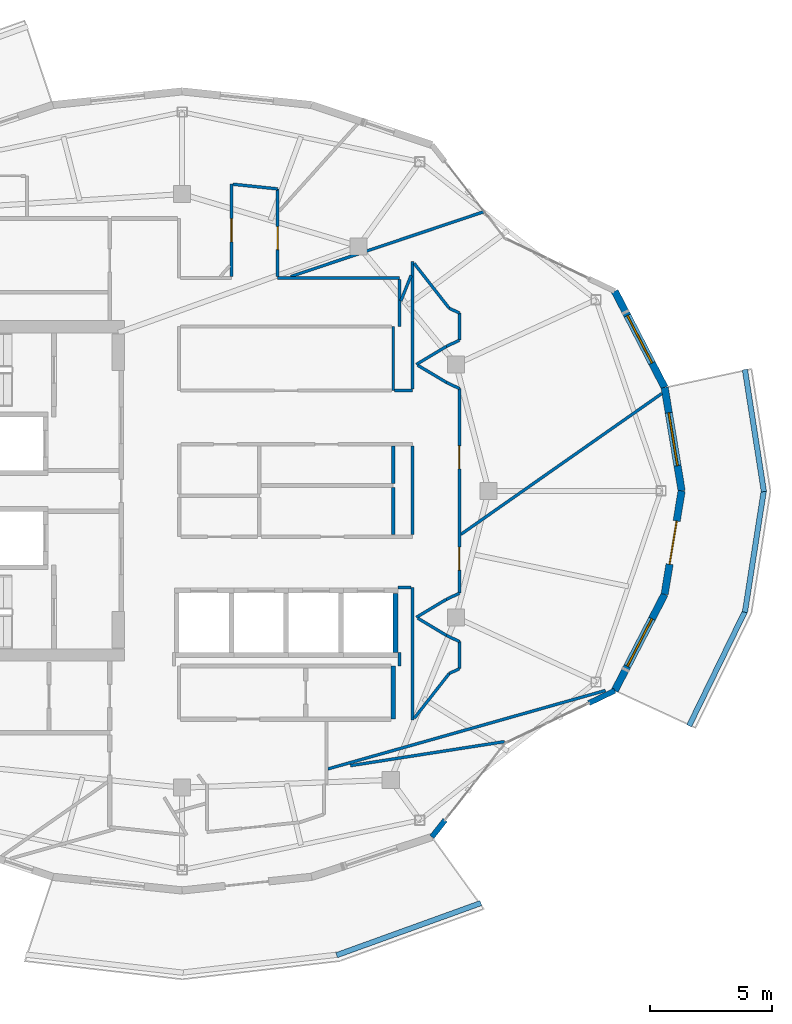
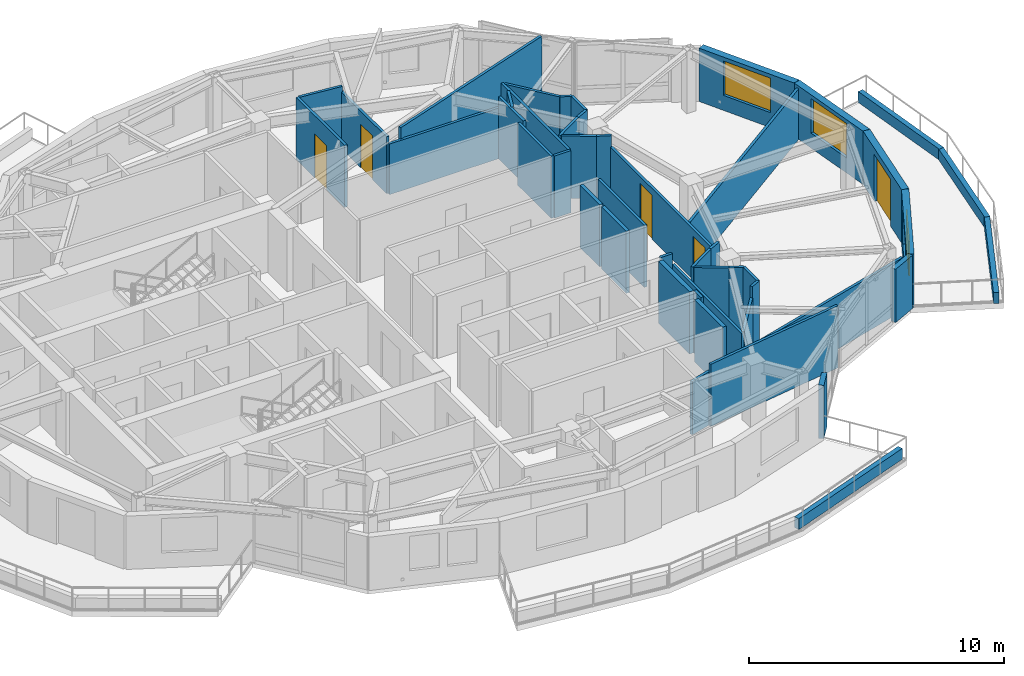
# One storey, part 10 of 15: 46 walls, 5 doors, 3 windows, 8 openings.
"""IFC4 building model written with IfcOpenShell, lengths in metres."""

from ifc_helpers import new_model, si_unit, direction, frame, frame_2d, origin, place, context, subcontext, project, spatial, rectangle, extrude, material, layer, layer_set, type_object, element, fill, save


model = new_model("IFC4")

# Units and contexts
model_context = context("Model", 3, precision=1e-05, world=origin(), true_north=direction((0.0, 1.0)))
body_context = subcontext(model_context, "Body", "Model", "MODEL_VIEW")
ifc_project = project(units=[si_unit("LENGTHUNIT", "METRE"), si_unit("AREAUNIT", "SQUARE_METRE"), si_unit("VOLUMEUNIT", "CUBIC_METRE"), si_unit("PLANEANGLEUNIT", "RADIAN"), si_unit("MASSUNIT", "GRAM", prefix="KILO")], contexts=[model_context])

# Site, building, storey
site_placement = place(None, origin())
site = spatial("IfcSite", under=ifc_project, at=site_placement, CompositionType="ELEMENT")
building_placement = place(site_placement, origin())
building = spatial("IfcBuilding", under=site, at=building_placement, Name="Kolvaren Gate Tower and Convention Centre", CompositionType="ELEMENT")
storey_placement = place(building_placement, frame((0.0, 0.0, 272.300048828125)))
storey = spatial("IfcBuildingStorey", under=building, at=storey_placement, Name="L74", CompositionType="ELEMENT", Elevation=272.300048828125)

# Walls
ifc_material_1 = material(Name="Autoclaved Aerated Masonry Blockwork Class 4 (4.0 MPa)", Category="masonry")
ifc_layer_1 = layer(ifc_material_1, 0.179931640625)
ifc_layer_set_1 = layer_set([ifc_layer_1], Name="Autoclaved Aerated Masonry Blockwork Class 4 (4.0 MPa)")
wall_type_1 = type_object("IfcWallType", Name="ARCH-WL-COMP-180", PredefinedType="SOLIDWALL", material=ifc_layer_set_1)
wall_1_placement = place(storey_placement, frame((38.800048828125, 17.6201171875, 0.0), z_axis=(0.0, 0.0, 1.0), x_axis=(0.0, 1.0, 0.0)))
element("IfcWall", 1, at=wall_1_placement, inside=storey, type_object=wall_type_1, Name="Interior Partition WL-L74-INT-026", PredefinedType="SOLIDWALL", context=body_context, shape_type="SweptSolid", body=[
    extrude(rectangle(XDim=2.179931640625, YDim=0.179931640625, at=frame_2d((1.08984375, 0.0))), origin(), (0.0, 0.0, 1.0), 2.97998046875),
])
ifc_material_2 = material(Name="Fire-Rated Acoustic Gypsum Stud Partition", Category="gypsum")
ifc_layer_2 = layer(ifc_material_2, 0.1201171875)
ifc_layer_set_2 = layer_set([ifc_layer_2], Name="Fire-Rated Acoustic Gypsum Stud Partition")
wall_type_2 = type_object("IfcWallType", Name="ARCH-WL-PART-120", PredefinedType="PARTITIONING", material=ifc_layer_set_2)
wall_2_placement = place(storey_placement, frame((38.800048828125, 31.1201171875, 0.0), z_axis=(0.0, 0.0, 1.0), x_axis=(0.0, 1.0, 0.0)))
element("IfcWall", 2, at=wall_2_placement, inside=storey, type_object=wall_type_2, Name="Interior Partition WL-L74-INT-028", PredefinedType="PARTITIONING", context=body_context, shape_type="SweptSolid", body=[
    extrude(rectangle(XDim=2.6298828125, YDim=0.1201171875, at=frame_2d((1.31494140625, 0.0))), origin(), (0.0, 0.0, 1.0), 2.97998046875),
])
wall_3_placement = place(storey_placement, frame((38.862060546875, 31.1201171875, 0.0), z_axis=(0.0, 0.0, 1.0), x_axis=(1.0, 0.0, 0.0)))
element("IfcWall", 3, at=wall_3_placement, inside=storey, type_object=wall_type_2, Name="Interior Partition WL-L74-INT-029 (2)", PredefinedType="PARTITIONING", context=body_context, shape_type="SweptSolid", body=[
    extrude(rectangle(XDim=0.738037109375, YDim=0.1201171875, at=frame_2d((0.369140625, 0.0))), origin(), (0.0, 0.0, 1.0), 2.97998046875),
])
wall_4_placement = place(storey_placement, frame((34.050048828125, 35.75, 0.0), z_axis=(0.0, 0.0, 1.0), x_axis=(1.0, 0.0, 0.0)))
element("IfcWall", 4, at=wall_4_placement, inside=storey, type_object=wall_type_2, Name="Interior Partition WL-L74-INT-038", PredefinedType="PARTITIONING", context=body_context, shape_type="SweptSolid", body=[
    extrude(rectangle(XDim=5.0, YDim=0.1201171875, at=frame_2d((2.5, 0.0))), origin(), (0.0, 0.0, 1.0), 2.427978515625),
])

# Wall, opening, door
wall_5_placement = place(storey_placement, frame((32.14990234375, 35.81201171875, 0.0), z_axis=(0.0, 0.0, 1.0), x_axis=(0.0, 1.0, 0.0)))
wall_5 = element("IfcWall", 5, at=wall_5_placement, inside=storey, type_object=wall_type_2, Name="Interior Partition WL-L74-INT-039", PredefinedType="PARTITIONING", context=body_context, shape_type="SweptSolid", body=[
    extrude(rectangle(XDim=3.800048828125, YDim=0.1201171875, at=frame_2d((1.89990234375, 0.0))), origin(), (0.0, 0.0, 1.0), 2.97998046875),
])
opening_1_placement = place(wall_5_placement, frame((1.425048828125, 0.0, 0.0)))
opening_1 = element("IfcOpeningElement", 6, at=opening_1_placement, cuts=wall_5, Name="Opening DR-01", PredefinedType="OPENING", context=body_context, shape_type="SweptSolid", body=[
    extrude(rectangle(XDim=0.949951171875, YDim=2.10009765625, at=frame_2d((0.47509765625, 1.050048828125))), frame((0.0, 0.070068359375, 0.0), z_axis=(0.0, -1.0, 0.0), x_axis=(1.0, 0.0, 0.0)), (0.0, 0.0, 1.0), 0.14013671875),
])
ifc_material_3 = material(Name="Painted Architectural Steelwork ASTM A500 Grade C 345 MPa", Category="steel")
door_type_1 = type_object("IfcDoorType", Name="ARCH-DR-RISER-950", OperationType="SINGLE_SWING_RIGHT", PredefinedType="DOOR", material=ifc_material_3)
door_1_placement = place(opening_1_placement, origin())
door_1 = element("IfcDoor", 7, at=door_1_placement, inside=storey, type_object=door_type_1, Name="Duplex Loft Studio Apartment (APT-L74-01) Door", OperationType="SINGLE_SWING_LEFT", OverallHeight=2.10009765625, OverallWidth=0.949951171875, PredefinedType="DOOR", context=body_context, shape_type="SweptSolid", body=[
    extrude(rectangle(XDim=0.949951171875, YDim=2.10009765625, at=frame_2d((0.47509765625, 1.050048828125))), frame((0.0, 0.02490234375, 0.0), z_axis=(0.0, -1.0, 0.0), x_axis=(1.0, 0.0, 0.0)), (0.0, 0.0, 1.0), 0.050048828125),
])
fill(opening_1, door_1)

# Wall
wall_6_placement = place(storey_placement, frame((32.2119140625, 39.60546875, 0.0), z_axis=(0.0, 0.0, 1.0), x_axis=(0.994512688404, -0.1046160246, 0.0)))
element("IfcWall", 8, at=wall_6_placement, inside=storey, type_object=wall_type_2, Name="Interior Partition WL-L74-INT-040", PredefinedType="PARTITIONING", context=body_context, shape_type="SweptSolid", body=[
    extrude(rectangle(XDim=1.848388671875, YDim=0.1201171875, at=frame_2d((0.92431640625, 0.0))), origin(), (0.0, 0.0, 1.0), 2.97998046875),
])

# Wall, opening, door
wall_7_placement = place(storey_placement, frame((34.050048828125, 35.81201171875, 0.0), z_axis=(0.0, 0.0, 1.0), x_axis=(0.0, 1.0, 0.0)))
wall_7 = element("IfcWall", 9, at=wall_7_placement, inside=storey, type_object=wall_type_2, Name="Interior Partition WL-L74-INT-041", PredefinedType="PARTITIONING", context=body_context, shape_type="SweptSolid", body=[
    extrude(rectangle(XDim=3.60009765625, YDim=0.1201171875, at=frame_2d((1.800048828125, 0.0))), origin(), (0.0, 0.0, 1.0), 2.719970703125),
])
opening_2_placement = place(wall_7_placement, frame((1.100341796875, 0.0, 0.0)))
opening_2 = element("IfcOpeningElement", 10, at=opening_2_placement, cuts=wall_7, Name="Opening DR-01", PredefinedType="OPENING", context=body_context, shape_type="SweptSolid", body=[
    extrude(rectangle(XDim=0.949951171875, YDim=2.10009765625, at=frame_2d((0.47509765625, 1.050048828125))), frame((0.0, 0.070068359375, 0.0), z_axis=(0.0, -1.0, 0.0), x_axis=(1.0, 0.0, 0.0)), (0.0, 0.0, 1.0), 0.14013671875),
])
door_2_placement = place(opening_2_placement, origin())
door_2 = element("IfcDoor", 11, at=door_2_placement, inside=storey, type_object=door_type_1, Name="Summit Butler Staff Room Door", OperationType="SINGLE_SWING_RIGHT", OverallHeight=2.10009765625, OverallWidth=0.949951171875, PredefinedType="DOOR", context=body_context, shape_type="SweptSolid", body=[
    extrude(rectangle(XDim=0.949951171875, YDim=2.10009765625, at=frame_2d((0.47509765625, 1.050048828125))), frame((0.0, 0.02490234375, 0.0), z_axis=(0.0, -1.0, 0.0), x_axis=(1.0, 0.0, 0.0)), (0.0, 0.0, 1.0), 0.050048828125),
])
fill(opening_2, door_2)

# Walls
wall_8_placement = place(storey_placement, frame((39.050048828125, 19.800048828125, 0.0), z_axis=(0.0, 0.0, 1.0), x_axis=(0.0, 1.0, 0.0)))
element("IfcWall", 12, at=wall_8_placement, inside=storey, type_object=wall_type_2, Name="Interior Partition WL-L74-INT-042", PredefinedType="PARTITIONING", context=body_context, shape_type="SweptSolid", body=[
    extrude(rectangle(XDim=0.56005859375, YDim=0.1201171875, at=frame_2d((0.280029296875, 0.0))), origin(), (0.0, 0.0, 1.0), 2.97998046875),
])
wall_9_placement = place(storey_placement, frame((39.050048828125, 33.75, 0.0), z_axis=(0.0, 0.0, 1.0), x_axis=(0.0, 1.0, 0.0)))
element("IfcWall", 13, at=wall_9_placement, inside=storey, type_object=wall_type_2, Name="Interior Partition WL-L74-INT-043", PredefinedType="PARTITIONING", context=body_context, shape_type="SweptSolid", body=[
    extrude(rectangle(XDim=1.93798828125, YDim=0.1201171875, at=frame_2d((0.968994140625, 0.0))), origin(), (0.0, 0.0, 1.0), 2.97998046875),
])
wall_10_placement = place(storey_placement, frame((39.60009765625, 17.572998046875, 0.0), z_axis=(0.0, 0.0, 1.0), x_axis=(0.0, 1.0, 0.0)))
element("IfcWall", 14, at=wall_10_placement, inside=storey, type_object=wall_type_2, Name="Interior Partition WL-L74-INT-044", PredefinedType="PARTITIONING", context=body_context, shape_type="SweptSolid", body=[
    extrude(rectangle(XDim=5.447021484375, YDim=0.1201171875, at=frame_2d((2.7236328125, 0.0))), origin(), (0.0, 0.0, 1.0), 2.427978515625),
])
wall_11_placement = place(storey_placement, frame((39.60009765625, 25.197021484375, 0.0), z_axis=(0.0, 0.0, 1.0), x_axis=(0.0, 1.0, 0.0)))
element("IfcWall", 15, at=wall_11_placement, inside=storey, type_object=wall_type_2, Name="Interior Partition WL-L74-INT-045", PredefinedType="PARTITIONING", context=body_context, shape_type="SweptSolid", body=[
    extrude(rectangle(XDim=3.64599609375, YDim=0.1201171875, at=frame_2d((1.822998046875, 0.0))), origin(), (0.0, 0.0, 1.0), 2.97998046875),
])
wall_12_placement = place(storey_placement, frame((39.60009765625, 31.181884765625, 0.0), z_axis=(0.0, 0.0, 1.0), x_axis=(0.0, 1.0, 0.0)))
element("IfcWall", 16, at=wall_12_placement, inside=storey, type_object=wall_type_2, Name="Interior Partition WL-L74-INT-046", PredefinedType="PARTITIONING", context=body_context, shape_type="SweptSolid", body=[
    extrude(rectangle(XDim=5.2451171875, YDim=0.1201171875, at=frame_2d((2.62255859375, 0.0))), origin(), (0.0, 0.0, 1.0), 2.97998046875),
])
wall_13_placement = place(storey_placement, frame((39.662109375, 36.347900390625, 0.0), z_axis=(0.0, 0.0, 1.0), x_axis=(0.616212345115, -0.78758005671, 0.0)))
element("IfcWall", 17, at=wall_13_placement, inside=storey, type_object=wall_type_2, Name="Interior Partition WL-L74-INT-047", PredefinedType="PARTITIONING", context=body_context, shape_type="SweptSolid", body=[
    extrude(rectangle(XDim=2.33349609375, YDim=0.1201171875, at=frame_2d((1.166748046875, 0.0))), origin(), (0.0, 0.0, 1.0), 2.97998046875),
])
wall_14_placement = place(storey_placement, frame((41.10009765625, 34.510009765625, 0.0), z_axis=(0.0, 0.0, 1.0), x_axis=(0.902054328377, -0.431622507125, 0.0)))
element("IfcWall", 18, at=wall_14_placement, inside=storey, type_object=wall_type_2, Name="Interior Partition WL-L74-INT-048", PredefinedType="PARTITIONING", context=body_context, shape_type="SweptSolid", body=[
    extrude(rectangle(XDim=0.465576171875, YDim=0.1201171875, at=frame_2d((0.23291015625, 0.0))), origin(), (0.0, 0.0, 1.0), 2.97998046875),
])
wall_15_placement = place(storey_placement, frame((41.52001953125, 19.69091796875, 0.0), z_axis=(0.0, 0.0, 1.0), x_axis=(0.0, 1.0, 0.0)))
element("IfcWall", 19, at=wall_15_placement, inside=storey, type_object=wall_type_2, Name="Interior Partition WL-L74-INT-049", PredefinedType="PARTITIONING", context=body_context, shape_type="SweptSolid", body=[
    extrude(rectangle(XDim=1.115966796875, YDim=0.1201171875, at=frame_2d((0.55810546875, 0.0))), origin(), (0.0, 0.0, 1.0), 2.97998046875),
])

# Wall, openings, doors
wall_16_placement = place(storey_placement, frame((41.52001953125, 22.7939453125, 0.0), z_axis=(0.0, 0.0, 1.0), x_axis=(0.0, 1.0, 0.0)))
wall_16 = element("IfcWall", 20, at=wall_16_placement, inside=storey, type_object=wall_type_2, Name="Interior Partition WL-L74-INT-050", PredefinedType="PARTITIONING", context=body_context, shape_type="SweptSolid", body=[
    extrude(rectangle(XDim=8.412109375, YDim=0.1201171875, at=frame_2d((4.2060546875, 0.0))), origin(), (0.0, 0.0, 1.0), 2.427978515625),
])
opening_3_placement = place(wall_16_placement, frame((0.943603515625, 0.0, 0.0)))
opening_3 = element("IfcOpeningElement", 21, at=opening_3_placement, cuts=wall_16, Name="Opening DR-01", PredefinedType="OPENING", context=body_context, shape_type="SweptSolid", body=[
    extrude(rectangle(XDim=0.949951171875, YDim=2.10009765625, at=frame_2d((0.47509765625, 1.050048828125))), frame((0.0, 0.070068359375, 0.0), z_axis=(0.0, -1.0, 0.0), x_axis=(1.0, 0.0, 0.0)), (0.0, 0.0, 1.0), 0.14013671875),
])
opening_4_placement = place(wall_16_placement, frame((5.1064453125, 0.0, 0.0)))
opening_4 = element("IfcOpeningElement", 22, at=opening_4_placement, cuts=wall_16, Name="Opening DR-01", PredefinedType="OPENING", context=body_context, shape_type="SweptSolid", body=[
    extrude(rectangle(XDim=0.949951171875, YDim=2.10009765625, at=frame_2d((0.47509765625, 1.050048828125))), frame((0.0, 0.070068359375, 0.0), z_axis=(0.0, -1.0, 0.0), x_axis=(1.0, 0.0, 0.0)), (0.0, 0.0, 1.0), 0.14013671875),
])
door_3_placement = place(opening_3_placement, origin())
door_3 = element("IfcDoor", 23, at=door_3_placement, inside=storey, type_object=door_type_1, Name="Resident Private Study Door", OperationType="SINGLE_SWING_RIGHT", OverallHeight=2.10009765625, OverallWidth=0.949951171875, PredefinedType="DOOR", context=body_context, shape_type="SweptSolid", body=[
    extrude(rectangle(XDim=0.949951171875, YDim=2.10009765625, at=frame_2d((0.47509765625, 1.050048828125))), frame((0.0, 0.02490234375, 0.0), z_axis=(0.0, -1.0, 0.0), x_axis=(1.0, 0.0, 0.0)), (0.0, 0.0, 1.0), 0.050048828125),
])
fill(opening_3, door_3)
door_4_placement = place(opening_4_placement, origin())
door_4 = element("IfcDoor", 24, at=door_4_placement, inside=storey, type_object=door_type_1, Name="Summit Concierge Staff Office Door", OperationType="SINGLE_SWING_LEFT", OverallHeight=2.10009765625, OverallWidth=0.949951171875, PredefinedType="DOOR", context=body_context, shape_type="SweptSolid", body=[
    extrude(rectangle(XDim=0.949951171875, YDim=2.10009765625, at=frame_2d((0.47509765625, 1.050048828125))), frame((0.0, 0.02490234375, 0.0), z_axis=(0.0, -1.0, 0.0), x_axis=(1.0, 0.0, 0.0)), (0.0, 0.0, 1.0), 0.050048828125),
])
fill(opening_4, door_4)

# Walls
wall_17_placement = place(storey_placement, frame((41.52001953125, 33.193115234375, 0.0), z_axis=(0.0, 0.0, 1.0), x_axis=(0.0, 1.0, 0.0)))
element("IfcWall", 25, at=wall_17_placement, inside=storey, type_object=wall_type_2, Name="Interior Partition WL-L74-INT-051", PredefinedType="PARTITIONING", context=body_context, shape_type="SweptSolid", body=[
    extrude(rectangle(XDim=1.115966796875, YDim=0.1201171875, at=frame_2d((0.55810546875, 0.0))), origin(), (0.0, 0.0, 1.0), 2.97998046875),
])
wall_18_placement = place(storey_placement, frame((40.986083984375, 32.93994140625, 0.0), z_axis=(0.0, 0.0, 1.0), x_axis=(0.90356951601, 0.428441512621, 0.0)))
element("IfcWall", 26, at=wall_18_placement, inside=storey, type_object=wall_type_2, Name="Interior Partition WL-L74-INT-052", PredefinedType="PARTITIONING", context=body_context, shape_type="SweptSolid", body=[
    extrude(rectangle(XDim=0.5908203125, YDim=0.1201171875, at=frame_2d((0.29541015625, 0.0))), origin(), (0.0, 0.0, 1.0), 2.97998046875),
])
wall_19_placement = place(storey_placement, frame((39.75, 32.198974609375, 0.0), z_axis=(0.0, 0.0, 1.0), x_axis=(0.857702120906, 0.514146935996, 0.0)))
element("IfcWall", 27, at=wall_19_placement, inside=storey, type_object=wall_type_2, Name="Interior Partition WL-L74-INT-053", PredefinedType="PARTITIONING", context=body_context, shape_type="SweptSolid", body=[
    extrude(rectangle(XDim=1.441162109375, YDim=0.1201171875, at=frame_2d((0.720703125, 0.0))), origin(), (0.0, 0.0, 1.0), 2.97998046875),
])
wall_20_placement = place(storey_placement, frame((39.810302734375, 32.162841796875, 0.0), z_axis=(0.0, 0.0, 1.0), x_axis=(0.858011245414, -0.513630901273, 0.0)))
element("IfcWall", 28, at=wall_20_placement, inside=storey, type_object=wall_type_2, Name="Interior Partition WL-L74-INT-054", PredefinedType="PARTITIONING", context=body_context, shape_type="SweptSolid", body=[
    extrude(rectangle(XDim=1.370361328125, YDim=0.1201171875, at=frame_2d((0.68505859375, 0.0))), origin(), (0.0, 0.0, 1.0), 2.97998046875),
])
for number, where, z_axis, x_axis, name in (
    (29, (40.986083984375, 31.458984375, 0.0), (0.0, 0.0, 1.0), (0.903729424576, -0.428104107847, 0.0), "Interior Partition WL-L74-INT-055"),
    (30, (40.986083984375, 22.541015625, 0.0), (0.0, 0.0, 1.0), (0.903729424576, 0.428104107847, 0.0), "Interior Partition WL-L74-INT-056"),
):
    element("IfcWall", number, at=place(storey_placement, frame(where, z_axis=z_axis, x_axis=x_axis)), inside=storey, type_object=wall_type_2, Name=name, PredefinedType="PARTITIONING", context=body_context, shape_type="SweptSolid", body=[
        extrude(rectangle(XDim=0.5908203125, YDim=0.1201171875, at=frame_2d((0.29541015625, 0.0))), origin(), (0.0, 0.0, 1.0), 2.97998046875),
    ])
wall_21_placement = place(storey_placement, frame((39.75, 21.800048828125, 0.0), z_axis=(0.0, 0.0, 1.0), x_axis=(0.857702120906, 0.514146935996, 0.0)))
element("IfcWall", 31, at=wall_21_placement, inside=storey, type_object=wall_type_2, Name="Interior Partition WL-L74-INT-057", PredefinedType="PARTITIONING", context=body_context, shape_type="SweptSolid", body=[
    extrude(rectangle(XDim=1.441162109375, YDim=0.1201171875, at=frame_2d((0.720703125, 0.0))), origin(), (0.0, 0.0, 1.0), 2.97998046875),
])
wall_22_placement = place(storey_placement, frame((39.810302734375, 21.763916015625, 0.0), z_axis=(0.0, 0.0, 1.0), x_axis=(0.858011245414, -0.513630901273, 0.0)))
element("IfcWall", 32, at=wall_22_placement, inside=storey, type_object=wall_type_2, Name="Interior Partition WL-L74-INT-058", PredefinedType="PARTITIONING", context=body_context, shape_type="SweptSolid", body=[
    extrude(rectangle(XDim=1.370361328125, YDim=0.1201171875, at=frame_2d((0.68505859375, 0.0))), origin(), (0.0, 0.0, 1.0), 2.97998046875),
])
wall_23_placement = place(storey_placement, frame((40.986083984375, 21.06005859375, 0.0), z_axis=(0.0, 0.0, 1.0), x_axis=(0.90356951601, -0.428441512621, 0.0)))
element("IfcWall", 33, at=wall_23_placement, inside=storey, type_object=wall_type_2, Name="Interior Partition WL-L74-INT-059", PredefinedType="PARTITIONING", context=body_context, shape_type="SweptSolid", body=[
    extrude(rectangle(XDim=0.5908203125, YDim=0.1201171875, at=frame_2d((0.29541015625, 0.0))), origin(), (0.0, 0.0, 1.0), 2.97998046875),
])
wall_24_placement = place(storey_placement, frame((41.10009765625, 19.489990234375, 0.0), z_axis=(0.0, 0.0, 1.0), x_axis=(0.902054328377, 0.431622507125, 0.0)))
element("IfcWall", 34, at=wall_24_placement, inside=storey, type_object=wall_type_2, Name="Interior Partition WL-L74-INT-060", PredefinedType="PARTITIONING", context=body_context, shape_type="SweptSolid", body=[
    extrude(rectangle(XDim=0.465576171875, YDim=0.1201171875, at=frame_2d((0.23291015625, 0.0))), origin(), (0.0, 0.0, 1.0), 2.97998046875),
])
wall_25_placement = place(storey_placement, frame((39.662109375, 17.652099609375, 0.0), z_axis=(0.0, 0.0, 1.0), x_axis=(0.616212345115, 0.78758005671, 0.0)))
element("IfcWall", 35, at=wall_25_placement, inside=storey, type_object=wall_type_2, Name="Interior Partition WL-L74-INT-061", PredefinedType="PARTITIONING", context=body_context, shape_type="SweptSolid", body=[
    extrude(rectangle(XDim=2.33349609375, YDim=0.1201171875, at=frame_2d((1.166748046875, 0.0))), origin(), (0.0, 0.0, 1.0), 2.427978515625),
])
wall_26_placement = place(storey_placement, frame((39.0, 23.02001953125, 0.0), z_axis=(0.0, 0.0, 1.0), x_axis=(1.0, 0.0, 0.0)))
element("IfcWall", 36, at=wall_26_placement, inside=storey, type_object=wall_type_2, Name="Interior Partition WL-L74-INT-062", PredefinedType="PARTITIONING", context=body_context, shape_type="SweptSolid", body=[
    extrude(rectangle(XDim=0.5380859375, YDim=0.1201171875, at=frame_2d((0.26904296875, 0.0))), origin(), (0.0, 0.0, 1.0), 2.97998046875),
])
wall_27_placement = place(storey_placement, frame((34.591064453125, 35.81201171875, 0.0), z_axis=(0.0, 0.0, 1.0), x_axis=(0.94801826347, 0.318215920605, 0.0)))
element("IfcWall", 37, at=wall_27_placement, inside=storey, type_object=wall_type_2, Name="Interior Partition WL-L74-INT-073", PredefinedType="PARTITIONING", context=body_context, shape_type="SweptSolid", body=[
    extrude(rectangle(XDim=8.359619140625, YDim=0.1201171875, at=frame_2d((4.1796875, 0.0))), origin(), (0.0, 0.0, 1.0), 2.97998046875),
])
wall_28_placement = place(storey_placement, frame((41.58203125, 25.21142578125, 0.0), z_axis=(0.0, 0.0, 1.0), x_axis=(0.818871371676, 0.573977069795, 0.0)))
element("IfcWall", 38, at=wall_28_placement, inside=storey, type_object=wall_type_2, Name="Interior Partition WL-L74-INT-075", PredefinedType="PARTITIONING", context=body_context, shape_type="SweptSolid", body=[
    extrude(rectangle(XDim=10.0888671875, YDim=0.1201171875, at=frame_2d((5.04443359375, 0.0))), origin(), (0.0, 0.0, 1.0), 2.427978515625),
])
wall_29_placement = place(storey_placement, frame((36.112060546875, 15.5693359375, 0.0), z_axis=(0.0, 0.0, 1.0), x_axis=(0.962301671602, 0.271984361373, 0.0)))
element("IfcWall", 39, at=wall_29_placement, inside=storey, type_object=wall_type_2, Name="Interior Partition WL-L74-INT-078", PredefinedType="PARTITIONING", context=body_context, shape_type="SweptSolid", body=[
    extrude(rectangle(XDim=11.857666015625, YDim=0.1201171875, at=frame_2d((5.9287109375, 0.0))), origin(), (0.0, 0.0, 1.0), 2.554931640625),
])
wall_30_placement = place(storey_placement, frame((37.037109375, 15.7041015625, 0.0), z_axis=(0.0, 0.0, 1.0), x_axis=(0.988053020488, 0.154114336465, 0.0)))
element("IfcWall", 40, at=wall_30_placement, inside=storey, type_object=wall_type_2, Name="Interior Partition WL-L74-INT-079", PredefinedType="PARTITIONING", context=body_context, shape_type="SweptSolid", body=[
    extrude(rectangle(XDim=6.4111328125, YDim=0.1201171875, at=frame_2d((3.20556640625, 0.0))), origin(), (0.0, 0.0, 1.0), 2.97998046875),
])
wall_31_placement = place(storey_placement, frame((39.112060546875, 34.8076171875, 0.0), z_axis=(0.0, 0.0, 1.0), x_axis=(0.374757755012, 0.927122766983, 0.0)))
element("IfcWall", 41, at=wall_31_placement, inside=storey, type_object=wall_type_2, Name="Interior Partition WL-L74-INT-080", PredefinedType="PARTITIONING", context=body_context, shape_type="SweptSolid", body=[
    extrude(rectangle(XDim=1.13671875, YDim=0.1201171875, at=frame_2d((0.568359375, 0.0))), origin(), (0.0, 0.0, 1.0), 2.97998046875),
])
ifc_material_4 = material(Name="Bogota Sabana Bush-Hammered Sandstone Cladding", Category="masonry")
ifc_layer_3 = layer(ifc_material_4, 0.219970703125)
ifc_layer_set_3 = layer_set([ifc_layer_3], Name="Bogota Sabana Bush-Hammered Sandstone Cladding")
wall_type_3 = type_object("IfcWallType", Name="ARCH-WL-PIER-220", PredefinedType="SOLIDWALL", material=ifc_layer_set_3)
wall_32_placement = place(storey_placement, frame((40.390625, 12.775390625, 0.0), z_axis=(0.0, 0.0, 1.0), x_axis=(0.616368366719, 0.787457958566, 0.0)))
element("IfcWall", 42, at=wall_32_placement, inside=storey, type_object=wall_type_3, Name="Tower L74 Unitised Curtain Wall CW-RES-UNIT Bay 20 Left Column Pier Wrap", PredefinedType="SOLIDWALL", context=body_context, shape_type="SweptSolid", body=[
    extrude(rectangle(XDim=0.876220703125, YDim=0.219970703125, at=frame_2d((0.43798828125, 0.0))), origin(), (0.0, 0.0, 1.0), 2.554931640625),
])
wall_33_placement = place(storey_placement, frame((46.8408203125, 18.27587890625, 0.0), z_axis=(0.0, 0.0, 1.0), x_axis=(0.901303636532, 0.433187897769, 0.0)))
element("IfcWall", 43, at=wall_33_placement, inside=storey, type_object=wall_type_3, Name="Tower L74 Unitised Curtain Wall CW-RES-UNIT Bay 21 Right Column Pier Wrap", PredefinedType="SOLIDWALL", context=body_context, shape_type="SweptSolid", body=[
    extrude(rectangle(XDim=1.181396484375, YDim=0.219970703125, at=frame_2d((0.5908203125, 0.0))), origin(), (0.0, 0.0, 1.0), 2.554931640625),
])
ifc_material_5 = material(Name="Piedmont Cream Honed Limestone Cladding", Category="masonry")
ifc_layer_4 = layer(ifc_material_5, 0.219970703125)
ifc_layer_set_4 = layer_set([ifc_layer_4], Name="Piedmont Cream Honed Limestone Cladding")
wall_type_4 = type_object("IfcWallType", Name="ARCH-WL-PLANTER-220", PredefinedType="PARAPET", material=ifc_layer_set_4)
wall_34_placement = place(storey_placement, frame((36.47265625, 7.912841796875, 0.0), z_axis=(0.0, 0.0, 1.0), x_axis=(0.940465240036, 0.339889882585, 0.0)))
element("IfcWall", 44, at=wall_34_placement, inside=storey, type_object=wall_type_4, Name="Vertical-Forest Balcony Stone Planter Kerb PK-L74-3.3", PredefinedType="PARAPET", context=body_context, shape_type="SweptSolid", body=[
    extrude(rectangle(XDim=6.306640625, YDim=0.219970703125, at=frame_2d((3.1533203125, 0.0))), origin(), (0.0, 0.0, 1.0), 0.52001953125),
])
wall_35_placement = place(storey_placement, frame((50.96240234375, 17.341064453125, 0.0), z_axis=(0.0, 0.0, 1.0), x_axis=(0.438469339137, 0.898746148051, 0.0)))
element("IfcWall", 45, at=wall_35_placement, inside=storey, type_object=wall_type_4, Name="Vertical-Forest Balcony Stone Planter Kerb PK-L74-4.1", PredefinedType="PARAPET", context=body_context, shape_type="SweptSolid", body=[
    extrude(rectangle(XDim=5.26171875, YDim=0.219970703125, at=frame_2d((2.630859375, 0.0))), origin(), (0.0, 0.0, 1.0), 0.52001953125),
])
for number, where, z_axis, x_axis, name in (
    (46, (53.2568359375, 22.01123046875, 0.0), (0.0, 0.0, 1.0), (0.15374038442, 0.988111276223, 0.0), "Vertical-Forest Balcony Stone Planter Kerb PK-L74-4.2"),
    (47, (53.2568359375, 31.98876953125, 0.0), (0.0, 0.0, 1.0), (0.15374038442, -0.988111276223, 0.0), "Vertical-Forest Balcony Stone Planter Kerb PK-L74-4.3"),
):
    element("IfcWall", number, at=place(storey_placement, frame(where, z_axis=z_axis, x_axis=x_axis)), inside=storey, type_object=wall_type_4, Name=name, PredefinedType="PARAPET", context=body_context, shape_type="SweptSolid", body=[
        extrude(rectangle(XDim=5.078369140625, YDim=0.219970703125, at=frame_2d((2.5390625, 0.0))), origin(), (0.0, 0.0, 1.0), 0.52001953125),
    ])
ifc_layer_5 = layer(ifc_material_1, 0.199951171875)
ifc_layer_set_5 = layer_set([ifc_layer_5], Name="Autoclaved Aerated Masonry Blockwork Class 4 (4.0 MPa)")
wall_type_5 = type_object("IfcWallType", Name="ARCH-WL-SHAFT-200", PredefinedType="SOLIDWALL", material=ifc_layer_set_5)
wall_36_placement = place(storey_placement, frame((38.89990234375, 20.360107421875, 0.0), z_axis=(0.0, 0.0, 1.0), x_axis=(0.0, 1.0, 0.0)))
element("IfcWall", 48, at=wall_36_placement, inside=storey, type_object=wall_type_5, Name="Elevator PL-12 L74 Fire Shaft Wall E", PredefinedType="SOLIDWALL", context=body_context, shape_type="SweptSolid", body=[
    extrude(rectangle(XDim=2.429931640625, YDim=0.199951171875, at=frame_2d((1.21484375, 0.0))), origin(), (0.0, 0.0, 1.0), 2.97998046875),
])

# Wall, opening, window
ifc_layer_6 = layer(ifc_material_5, 0.300048828125)
ifc_layer_set_6 = layer_set([ifc_layer_6], Name="Piedmont Cream Honed Limestone Cladding")
wall_type_6 = type_object("IfcWallType", Name="ARCH-WL-STONE-300", PredefinedType="SOLIDWALL", material=ifc_layer_set_6)
wall_37_placement = place(storey_placement, frame((49.95654296875, 31.251220703125, 0.0), z_axis=(0.0, 0.0, 1.0), x_axis=(0.162404622434, -0.98672424649, 0.0)))
wall_37 = element("IfcWall", 49, at=wall_37_placement, inside=storey, type_object=wall_type_6, Name="Tower L74 Honed Stone Spandrel Wall EW-00", PredefinedType="SOLIDWALL", context=body_context, shape_type="SweptSolid", body=[
    extrude(rectangle(XDim=4.308349609375, YDim=0.300048828125, at=frame_2d((2.154296875, 0.0))), origin(), (0.0, 0.0, 1.0), 2.554931640625),
])
opening_5_placement = place(wall_37_placement, frame((1.053955078125, 0.0, 0.719970703125)))
opening_5 = element("IfcOpeningElement", 50, at=opening_5_placement, cuts=wall_37, Name="Opening W-03", PredefinedType="OPENING", context=body_context, shape_type="SweptSolid", body=[
    extrude(rectangle(XDim=2.199951171875, YDim=1.64990234375, at=frame_2d((1.10009765625, 0.824951171875))), frame((0.0, 0.159912109375, 0.0), z_axis=(0.0, -1.0, 0.0), x_axis=(1.0, 0.0, 0.0)), (0.0, 0.0, 1.0), 0.320068359375),
])
ifc_material_6 = material(Name="Low-E Triple Insulated Glazing Unit 44 mm", Category="glass")
window_type = type_object("IfcWindowType", Name="ARCH-WN-RES-2200", PartitioningType="SINGLE_PANEL", PredefinedType="WINDOW", material=ifc_material_6)
window_1_placement = place(opening_5_placement, origin())
window_1 = element("IfcWindow", 51, at=window_1_placement, inside=storey, type_object=window_type, Name="Tower L74 Punched Stone Facade Window W-00", OverallHeight=1.64990234375, OverallWidth=2.199951171875, PartitioningType="SINGLE_PANEL", PredefinedType="WINDOW", context=body_context, shape_type="SweptSolid", body=[
    extrude(rectangle(XDim=2.199951171875, YDim=1.64990234375, at=frame_2d((1.10009765625, 0.824951171875))), frame((0.0, 0.030029296875, 0.0), z_axis=(0.0, -1.0, 0.0), x_axis=(1.0, 0.0, 0.0)), (0.0, 0.0, 1.0), 0.06005859375),
])
fill(opening_5, window_1)

wall_38_placement = place(storey_placement, frame((47.905517578125, 35.21240234375, 0.0), z_axis=(0.0, 0.0, 1.0), x_axis=(0.459801070243, -0.888021945564, 0.0)))
wall_38 = element("IfcWall", 52, at=wall_38_placement, inside=storey, type_object=wall_type_6, Name="Tower L74 Honed Stone Spandrel Wall EW-01", PredefinedType="SOLIDWALL", context=body_context, shape_type="SweptSolid", body=[
    extrude(rectangle(XDim=4.460693359375, YDim=0.300048828125, at=frame_2d((2.23046875, 0.0))), origin(), (0.0, 0.0, 1.0), 2.554931640625),
])
opening_6_placement = place(wall_38_placement, frame((1.1298828125, 0.0, 0.719970703125)))
opening_6 = element("IfcOpeningElement", 53, at=opening_6_placement, cuts=wall_38, Name="Opening W-03", PredefinedType="OPENING", context=body_context, shape_type="SweptSolid", body=[
    extrude(rectangle(XDim=2.199951171875, YDim=1.64990234375, at=frame_2d((1.10009765625, 0.824951171875))), frame((0.0, 0.159912109375, 0.0), z_axis=(0.0, -1.0, 0.0), x_axis=(1.0, 0.0, 0.0)), (0.0, 0.0, 1.0), 0.320068359375),
])
window_2_placement = place(opening_6_placement, origin())
window_2 = element("IfcWindow", 54, at=window_2_placement, inside=storey, type_object=window_type, Name="Tower L74 Punched Stone Facade Window W-01", OverallHeight=1.64990234375, OverallWidth=2.199951171875, PartitioningType="SINGLE_PANEL", PredefinedType="WINDOW", context=body_context, shape_type="SweptSolid", body=[
    extrude(rectangle(XDim=2.199951171875, YDim=1.64990234375, at=frame_2d((1.10009765625, 0.824951171875))), frame((0.0, 0.030029296875, 0.0), z_axis=(0.0, -1.0, 0.0), x_axis=(1.0, 0.0, 0.0)), (0.0, 0.0, 1.0), 0.06005859375),
])
fill(opening_6, window_2)

wall_39_placement = place(storey_placement, frame((47.905517578125, 18.78759765625, 0.0), z_axis=(0.0, 0.0, 1.0), x_axis=(0.459801070243, 0.888021945564, 0.0)))
wall_39 = element("IfcWall", 55, at=wall_39_placement, inside=storey, type_object=wall_type_6, Name="Tower L74 Honed Stone Spandrel Wall EW-22", PredefinedType="SOLIDWALL", context=body_context, shape_type="SweptSolid", body=[
    extrude(rectangle(XDim=4.460693359375, YDim=0.300048828125, at=frame_2d((2.23046875, 0.0))), origin(), (0.0, 0.0, 1.0), 2.554931640625),
])
opening_7_placement = place(wall_39_placement, frame((1.1298828125, 0.0, 0.719970703125)))
opening_7 = element("IfcOpeningElement", 56, at=opening_7_placement, cuts=wall_39, Name="Opening W-03", PredefinedType="OPENING", context=body_context, shape_type="SweptSolid", body=[
    extrude(rectangle(XDim=2.199951171875, YDim=1.64990234375, at=frame_2d((1.10009765625, 0.824951171875))), frame((0.0, 0.159912109375, 0.0), z_axis=(0.0, -1.0, 0.0), x_axis=(1.0, 0.0, 0.0)), (0.0, 0.0, 1.0), 0.320068359375),
])
window_3_placement = place(opening_7_placement, origin())
window_3 = element("IfcWindow", 57, at=window_3_placement, inside=storey, type_object=window_type, Name="Tower L74 Punched Stone Facade Window W-22", OverallHeight=1.64990234375, OverallWidth=2.199951171875, PartitioningType="SINGLE_PANEL", PredefinedType="WINDOW", context=body_context, shape_type="SweptSolid", body=[
    extrude(rectangle(XDim=2.199951171875, YDim=1.64990234375, at=frame_2d((1.10009765625, 0.824951171875))), frame((0.0, 0.030029296875, 0.0), z_axis=(0.0, -1.0, 0.0), x_axis=(1.0, 0.0, 0.0)), (0.0, 0.0, 1.0), 0.06005859375),
])
fill(opening_7, window_3)

# Wall, opening, door
wall_40_placement = place(storey_placement, frame((49.95654296875, 22.748779296875, 0.0), z_axis=(0.0, 0.0, 1.0), x_axis=(0.162404622434, 0.98672424649, 0.0)))
wall_40 = element("IfcWall", 58, at=wall_40_placement, inside=storey, type_object=wall_type_6, Name="Tower L74 Honed Stone Spandrel Wall EW-23", PredefinedType="SOLIDWALL", context=body_context, shape_type="SweptSolid", body=[
    extrude(rectangle(XDim=4.308349609375, YDim=0.300048828125, at=frame_2d((2.154296875, 0.0))), origin(), (0.0, 0.0, 1.0), 2.554931640625),
])
opening_8_placement = place(wall_40_placement, frame((1.25390625, 0.0, 0.0)))
opening_8 = element("IfcOpeningElement", 59, at=opening_8_placement, cuts=wall_40, Name="Opening DB-01", PredefinedType="OPENING", context=body_context, shape_type="SweptSolid", body=[
    extrude(rectangle(XDim=1.800048828125, YDim=2.25, at=frame_2d((0.89990234375, 1.125))), frame((0.0, 0.159912109375, 0.0), z_axis=(0.0, -1.0, 0.0), x_axis=(1.0, 0.0, 0.0)), (0.0, 0.0, 1.0), 0.320068359375),
])
ifc_material_7 = material(Name="Anodized Architectural Aluminium Alloy 6063-T6", Category="aluminium")
door_type_2 = type_object("IfcDoorType", Name="ARCH-DR-BALC-1800", OperationType="SLIDING_TO_LEFT", PredefinedType="DOOR", material=ifc_material_7)
door_5_placement = place(opening_8_placement, frame((1.800048828125, 0.0, 0.0), z_axis=(0.0, 0.0, 1.0), x_axis=(-1.0, 0.0, 0.0)))
door_5 = element("IfcDoor", 60, at=door_5_placement, inside=storey, type_object=door_type_2, Name="Planted Sky Terrace Access Door DB-L74-23", OperationType="SLIDING_TO_LEFT", OverallHeight=2.25, OverallWidth=1.800048828125, PredefinedType="DOOR", context=body_context, shape_type="SweptSolid", body=[
    extrude(rectangle(XDim=1.800048828125, YDim=2.25, at=frame_2d((0.89990234375, 1.125))), frame((0.0, 0.02490234375, 0.0), z_axis=(0.0, -1.0, 0.0), x_axis=(1.0, 0.0, 0.0)), (0.0, 0.0, 1.0), 0.050048828125),
])
fill(opening_8, door_5)

# Walls
ifc_material_8 = material(Name="Moisture-Resistant Cement-Board Acoustic Partition", Category="gypsum")
ifc_layer_7 = layer(ifc_material_8, 0.14990234375)
ifc_layer_set_7 = layer_set([ifc_layer_7], Name="Moisture-Resistant Cement-Board Acoustic Partition")
wall_type_7 = type_object("IfcWallType", Name="ARCH-WL-WET-150", PredefinedType="PARTITIONING", material=ifc_layer_set_7)
wall_41_placement = place(storey_placement, frame((38.800048828125, 25.197021484375, 0.0), z_axis=(0.0, 0.0, 1.0), x_axis=(0.0, 1.0, 0.0)))
element("IfcWall", 61, at=wall_41_placement, inside=storey, type_object=wall_type_7, Name="Interior Partition WL-L74-INT-027", PredefinedType="PARTITIONING", context=body_context, shape_type="SweptSolid", body=[
    extrude(rectangle(XDim=1.946044921875, YDim=0.14990234375, at=frame_2d((0.97314453125, 0.0))), origin(), (0.0, 0.0, 1.0), 2.97998046875),
])
wall_42_placement = place(storey_placement, frame((38.800048828125, 27.297119140625, 0.0), z_axis=(0.0, 0.0, 1.0), x_axis=(0.0, 1.0, 0.0)))
element("IfcWall", 62, at=wall_42_placement, inside=storey, type_object=wall_type_7, Name="Interior Partition WL-L74-INT-027 (2)", PredefinedType="PARTITIONING", context=body_context, shape_type="SweptSolid", body=[
    extrude(rectangle(XDim=1.5458984375, YDim=0.14990234375, at=frame_2d((0.77294921875, 0.0))), origin(), (0.0, 0.0, 1.0), 2.97998046875),
])

save(model, "model.ifc")
